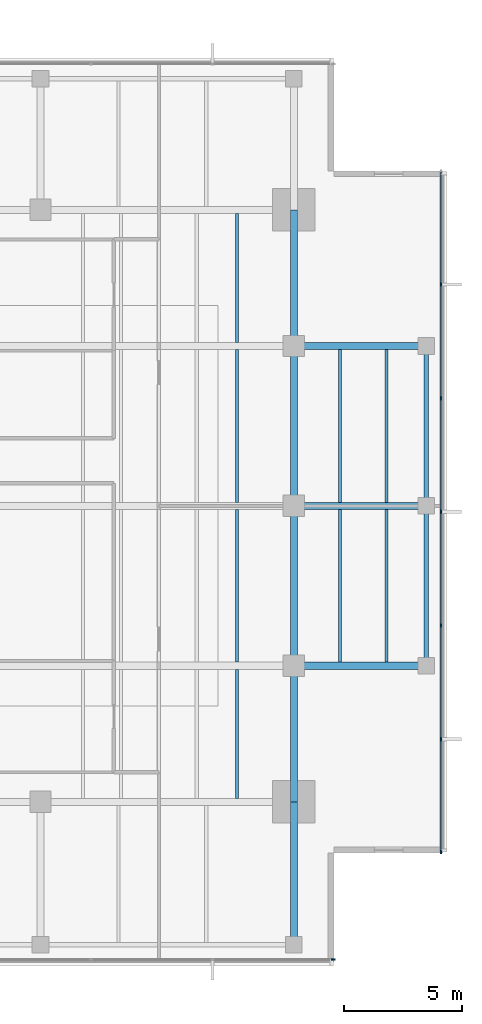
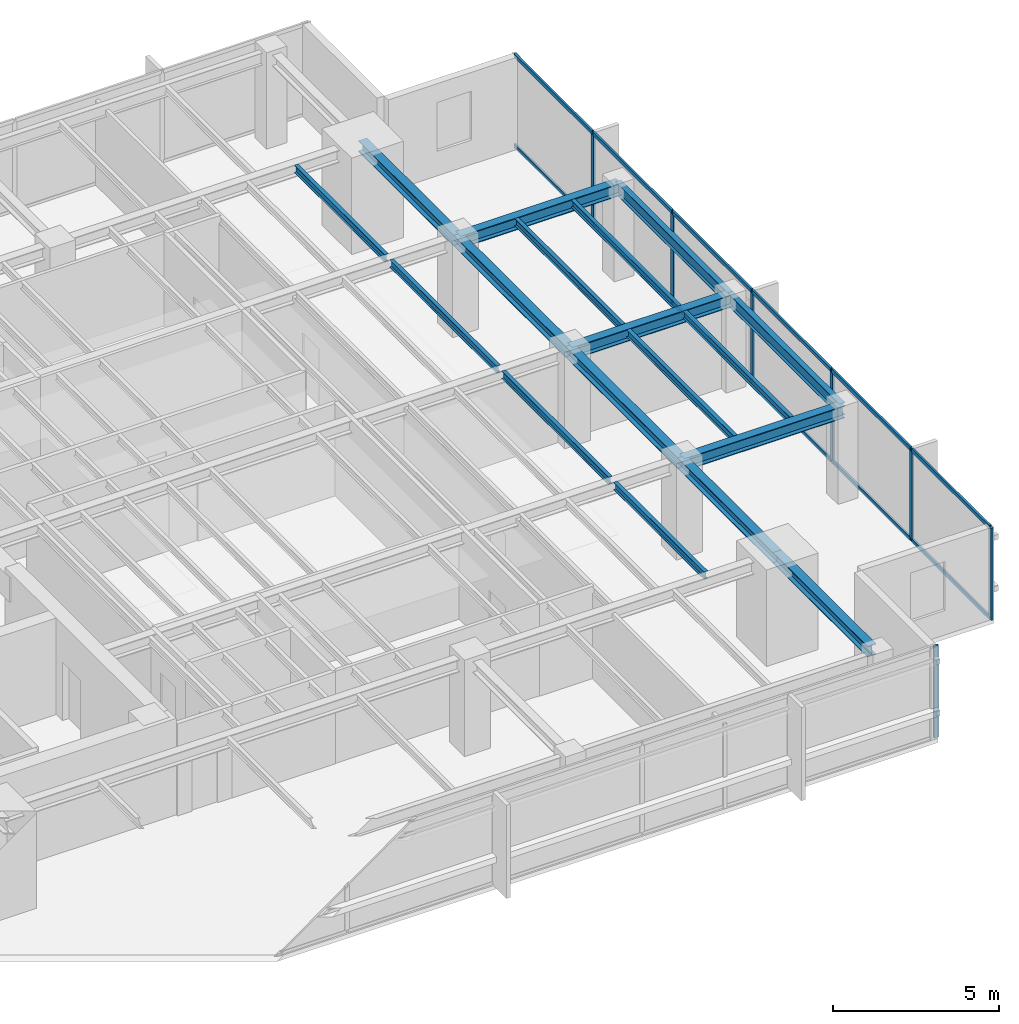
# One storey, part 4 of 14: 19 members, 18 beams, 2 elements without a shape of their own.
"""IFC4 building model written with IfcOpenShell, lengths in metres."""

from ifc_helpers import new_model, si_unit, direction, frame, origin, origin_2d, place, context, subcontext, project, spatial, rectangle, i_section, extrude, material, layer, layer_set, material_profile, profile_set, type_object, element, aggregate, save


model = new_model("IFC4")

# Units and contexts
model_context = context("Model", 3, precision=1e-05, world=origin(), true_north=direction((0.0, 1.0)))
body_context = subcontext(model_context, "Body", "Model", "MODEL_VIEW")
ifc_project = project(units=[si_unit("LENGTHUNIT", "METRE"), si_unit("AREAUNIT", "SQUARE_METRE"), si_unit("VOLUMEUNIT", "CUBIC_METRE"), si_unit("PLANEANGLEUNIT", "RADIAN"), si_unit("MASSUNIT", "GRAM", prefix="KILO")], contexts=[model_context])

# Site, building, storey
site_placement = place(None, origin())
site = spatial("IfcSite", under=ifc_project, at=site_placement, CompositionType="ELEMENT")
building_placement = place(site_placement, origin())
building = spatial("IfcBuilding", under=site, at=building_placement, Name="Kinhvarn Gate Tower", CompositionType="ELEMENT")
storey_placement = place(building_placement, frame((0.0, 0.0, 263.449951171875)))
storey = spatial("IfcBuildingStorey", under=building, at=storey_placement, Name="L70", CompositionType="ELEMENT", Elevation=263.449951171875)

# Curtain wall, member
ifc_material_1 = material(Name="Anodised aluminium AW-6063", Category="aluminium")
ifc_layer = layer(ifc_material_1, 0.179931640625)
ifc_layer_set = layer_set([ifc_layer], Name="Anodised aluminium AW-6063")
curtain_wall_type = type_object("IfcCurtainWallType", Name="CW-SYS-3", PredefinedType="NOTDEFINED", material=ifc_layer_set)
curtain_wall_1_placement = place(storey_placement, origin())
curtain_wall_1 = element("IfcCurtainWall", 1, at=curtain_wall_1_placement, inside=storey, type_object=curtain_wall_type, Name="Curtain Wall CW3 (L70)", PredefinedType="NOTDEFINED")
ifc_material_profile_1 = material_profile(ifc_material_1, rectangle(XDim=0.06494140625, YDim=0.159912109375, at=origin_2d()), Name="ALU 65x160")
ifc_profile_set_1 = profile_set([ifc_material_profile_1], Name="Anodised aluminium AW-6063")
member_type_1 = type_object("IfcMemberType", Name="CW-MUL-160", PredefinedType="MULLION", material=ifc_profile_set_1)
member_1_placement = place(storey_placement, frame((39.867431640625, 6.090087890625, 0.0), z_axis=(0.0, 0.0, 1.0), x_axis=(0.0, 1.0, 0.0)))
member_1 = element("IfcMember", 2, at=member_1_placement, type_object=member_type_1, Name="CW3 mullion 7", PredefinedType="MULLION", context=body_context, shape_type="SweptSolid", body=[
    extrude(rectangle(XDim=0.06494140625, YDim=0.159912109375, at=origin_2d()), origin(), (0.0, 0.0, 1.0), 3.39013671875),
])
aggregate(curtain_wall_1, [member_1])

# Curtain wall, members
curtain_wall_2_placement = place(storey_placement, origin())
curtain_wall_2 = element("IfcCurtainWall", 3, at=curtain_wall_2_placement, inside=storey, type_object=curtain_wall_type, Name="Curtain Wall CW3 (L70)", PredefinedType="NOTDEFINED")
member_2_placement = place(storey_placement, frame((44.409912109375, 10.632568359375, 0.0), z_axis=(0.0, 0.0, 1.0), x_axis=(-1.0, 0.0, 0.0)))
member_2 = element("IfcMember", 4, at=member_2_placement, type_object=member_type_1, Name="CW3 mullion 1", PredefinedType="MULLION", context=body_context, shape_type="SweptSolid", body=[
    extrude(rectangle(XDim=0.06494140625, YDim=0.159912109375, at=origin_2d()), origin(), (0.0, 0.0, 1.0), 3.39013671875),
])
member_3_placement = place(storey_placement, frame((44.409912109375, 15.39990234375, 0.0), z_axis=(0.0, 0.0, 1.0), x_axis=(-1.0, 0.0, 0.0)))
member_3 = element("IfcMember", 5, at=member_3_placement, type_object=member_type_1, Name="CW3 mullion 2", PredefinedType="MULLION", context=body_context, shape_type="SweptSolid", body=[
    extrude(rectangle(XDim=0.06494140625, YDim=0.159912109375, at=origin_2d()), origin(), (0.0, 0.0, 1.0), 3.39013671875),
])
member_4_placement = place(storey_placement, frame((44.409912109375, 20.199951171875, 0.0), z_axis=(0.0, 0.0, 1.0), x_axis=(-1.0, 0.0, 0.0)))
member_4 = element("IfcMember", 6, at=member_4_placement, type_object=member_type_1, Name="CW3 mullion 3", PredefinedType="MULLION", context=body_context, shape_type="SweptSolid", body=[
    extrude(rectangle(XDim=0.06494140625, YDim=0.159912109375, at=origin_2d()), origin(), (0.0, 0.0, 1.0), 3.39013671875),
])
member_5_placement = place(storey_placement, frame((44.409912109375, 25.0, 0.0), z_axis=(0.0, 0.0, 1.0), x_axis=(-1.0, 0.0, 0.0)))
member_5 = element("IfcMember", 7, at=member_5_placement, type_object=member_type_1, Name="CW3 mullion 4", PredefinedType="MULLION", context=body_context, shape_type="SweptSolid", body=[
    extrude(rectangle(XDim=0.06494140625, YDim=0.159912109375, at=origin_2d()), origin(), (0.0, 0.0, 1.0), 3.39013671875),
])
member_6_placement = place(storey_placement, frame((44.409912109375, 29.800048828125, 0.0), z_axis=(0.0, 0.0, 1.0), x_axis=(-1.0, 0.0, 0.0)))
member_6 = element("IfcMember", 8, at=member_6_placement, type_object=member_type_1, Name="CW3 mullion 5", PredefinedType="MULLION", context=body_context, shape_type="SweptSolid", body=[
    extrude(rectangle(XDim=0.06494140625, YDim=0.159912109375, at=origin_2d()), origin(), (0.0, 0.0, 1.0), 3.39013671875),
])
member_7_placement = place(storey_placement, frame((44.409912109375, 34.60009765625, 0.0), z_axis=(0.0, 0.0, 1.0), x_axis=(-1.0, 0.0, 0.0)))
member_7 = element("IfcMember", 9, at=member_7_placement, type_object=member_type_1, Name="CW3 mullion 6", PredefinedType="MULLION", context=body_context, shape_type="SweptSolid", body=[
    extrude(rectangle(XDim=0.06494140625, YDim=0.159912109375, at=origin_2d()), origin(), (0.0, 0.0, 1.0), 3.39013671875),
])
ifc_material_profile_2 = material_profile(ifc_material_1, rectangle(XDim=0.070068359375, YDim=0.139892578125, at=origin_2d()), Name="ALU 70x140")
ifc_profile_set_2 = profile_set([ifc_material_profile_2], Name="Anodised aluminium AW-6063")
member_type_2 = type_object("IfcMemberType", Name="CW-TRN-140", PredefinedType="USERDEFINED", material=ifc_profile_set_2)
member_8_placement = place(storey_placement, frame((44.409912109375, 10.6650390625, 0.03515625), z_axis=(0.0, 1.0, 0.0), x_axis=(-1.0, 0.0, 0.0)))
member_8 = element("IfcMember", 10, at=member_8_placement, type_object=member_type_2, Name="CW3 transom 1.1", ObjectType="TRANSOM", PredefinedType="USERDEFINED", context=body_context, shape_type="SweptSolid", body=[
    extrude(rectangle(XDim=0.070068359375, YDim=0.139892578125, at=origin_2d()), origin(), (0.0, 0.0, 1.0), 4.702392578125),
])
member_9_placement = place(storey_placement, frame((44.409912109375, 10.6650390625, 3.35498046875), z_axis=(0.0, 1.0, 0.0), x_axis=(-1.0, 0.0, 0.0)))
member_9 = element("IfcMember", 11, at=member_9_placement, type_object=member_type_2, Name="CW3 transom 1.2", ObjectType="TRANSOM", PredefinedType="USERDEFINED", context=body_context, shape_type="SweptSolid", body=[
    extrude(rectangle(XDim=0.070068359375, YDim=0.139892578125, at=origin_2d()), origin(), (0.0, 0.0, 1.0), 4.702392578125),
])
member_10_placement = place(storey_placement, frame((44.409912109375, 15.4326171875, 0.03515625), z_axis=(0.0, 1.0, 0.0), x_axis=(-1.0, 0.0, 0.0)))
member_10 = element("IfcMember", 12, at=member_10_placement, type_object=member_type_2, Name="CW3 transom 2.1", ObjectType="TRANSOM", PredefinedType="USERDEFINED", context=body_context, shape_type="SweptSolid", body=[
    extrude(rectangle(XDim=0.070068359375, YDim=0.139892578125, at=origin_2d()), origin(), (0.0, 0.0, 1.0), 4.73486328125),
])
member_11_placement = place(storey_placement, frame((44.409912109375, 15.4326171875, 3.35498046875), z_axis=(0.0, 1.0, 0.0), x_axis=(-1.0, 0.0, 0.0)))
member_11 = element("IfcMember", 13, at=member_11_placement, type_object=member_type_2, Name="CW3 transom 2.2", ObjectType="TRANSOM", PredefinedType="USERDEFINED", context=body_context, shape_type="SweptSolid", body=[
    extrude(rectangle(XDim=0.070068359375, YDim=0.139892578125, at=origin_2d()), origin(), (0.0, 0.0, 1.0), 4.73486328125),
])
member_12_placement = place(storey_placement, frame((44.409912109375, 20.232421875, 0.03515625), z_axis=(0.0, 1.0, 0.0), x_axis=(-1.0, 0.0, 0.0)))
member_12 = element("IfcMember", 14, at=member_12_placement, type_object=member_type_2, Name="CW3 transom 3.1", ObjectType="TRANSOM", PredefinedType="USERDEFINED", context=body_context, shape_type="SweptSolid", body=[
    extrude(rectangle(XDim=0.070068359375, YDim=0.139892578125, at=origin_2d()), origin(), (0.0, 0.0, 1.0), 4.735107421875),
])
member_13_placement = place(storey_placement, frame((44.409912109375, 20.232421875, 3.35498046875), z_axis=(0.0, 1.0, 0.0), x_axis=(-1.0, 0.0, 0.0)))
member_13 = element("IfcMember", 15, at=member_13_placement, type_object=member_type_2, Name="CW3 transom 3.2", ObjectType="TRANSOM", PredefinedType="USERDEFINED", context=body_context, shape_type="SweptSolid", body=[
    extrude(rectangle(XDim=0.070068359375, YDim=0.139892578125, at=origin_2d()), origin(), (0.0, 0.0, 1.0), 4.735107421875),
])
member_14_placement = place(storey_placement, frame((44.409912109375, 25.032470703125, 0.03515625), z_axis=(0.0, 1.0, 0.0), x_axis=(-1.0, 0.0, 0.0)))
member_14 = element("IfcMember", 16, at=member_14_placement, type_object=member_type_2, Name="CW3 transom 4.1", ObjectType="TRANSOM", PredefinedType="USERDEFINED", context=body_context, shape_type="SweptSolid", body=[
    extrude(rectangle(XDim=0.070068359375, YDim=0.139892578125, at=origin_2d()), origin(), (0.0, 0.0, 1.0), 4.735107421875),
])
member_15_placement = place(storey_placement, frame((44.409912109375, 25.032470703125, 3.35498046875), z_axis=(0.0, 1.0, 0.0), x_axis=(-1.0, 0.0, 0.0)))
member_15 = element("IfcMember", 17, at=member_15_placement, type_object=member_type_2, Name="CW3 transom 4.2", ObjectType="TRANSOM", PredefinedType="USERDEFINED", context=body_context, shape_type="SweptSolid", body=[
    extrude(rectangle(XDim=0.070068359375, YDim=0.139892578125, at=origin_2d()), origin(), (0.0, 0.0, 1.0), 4.735107421875),
])
member_16_placement = place(storey_placement, frame((44.409912109375, 29.83251953125, 0.03515625), z_axis=(0.0, 1.0, 0.0), x_axis=(-1.0, 0.0, 0.0)))
member_16 = element("IfcMember", 18, at=member_16_placement, type_object=member_type_2, Name="CW3 transom 5.1", ObjectType="TRANSOM", PredefinedType="USERDEFINED", context=body_context, shape_type="SweptSolid", body=[
    extrude(rectangle(XDim=0.070068359375, YDim=0.139892578125, at=origin_2d()), origin(), (0.0, 0.0, 1.0), 4.73486328125),
])
member_17_placement = place(storey_placement, frame((44.409912109375, 29.83251953125, 3.35498046875), z_axis=(0.0, 1.0, 0.0), x_axis=(-1.0, 0.0, 0.0)))
member_17 = element("IfcMember", 19, at=member_17_placement, type_object=member_type_2, Name="CW3 transom 5.2", ObjectType="TRANSOM", PredefinedType="USERDEFINED", context=body_context, shape_type="SweptSolid", body=[
    extrude(rectangle(XDim=0.070068359375, YDim=0.139892578125, at=origin_2d()), origin(), (0.0, 0.0, 1.0), 4.73486328125),
])
member_18_placement = place(storey_placement, frame((44.409912109375, 34.632568359375, 0.03515625), z_axis=(0.0, 1.0, 0.0), x_axis=(-1.0, 0.0, 0.0)))
member_18 = element("IfcMember", 20, at=member_18_placement, type_object=member_type_2, Name="CW3 transom 6.1", ObjectType="TRANSOM", PredefinedType="USERDEFINED", context=body_context, shape_type="SweptSolid", body=[
    extrude(rectangle(XDim=0.070068359375, YDim=0.139892578125, at=origin_2d()), origin(), (0.0, 0.0, 1.0), 4.702392578125),
])
member_19_placement = place(storey_placement, frame((44.409912109375, 34.632568359375, 3.35498046875), z_axis=(0.0, 1.0, 0.0), x_axis=(-1.0, 0.0, 0.0)))
member_19 = element("IfcMember", 21, at=member_19_placement, type_object=member_type_2, Name="CW3 transom 6.2", ObjectType="TRANSOM", PredefinedType="USERDEFINED", context=body_context, shape_type="SweptSolid", body=[
    extrude(rectangle(XDim=0.070068359375, YDim=0.139892578125, at=origin_2d()), origin(), (0.0, 0.0, 1.0), 4.702392578125),
])
aggregate(curtain_wall_2, [member_2, member_3, member_4, member_5, member_6, member_7, member_8, member_9, member_10, member_11, member_12, member_13, member_14, member_15, member_16, member_17, member_18, member_19])

# Beams
ifc_material_2 = material(Name="Steel S355", Category="steel")
ifc_material_profile_3 = material_profile(ifc_material_2, i_section(OverallWidth=0.300048828125, OverallDepth=0.39990234375, WebThickness=0.013427734375, FlangeThickness=0.02392578125, at=origin_2d()), Name="HEB 400")
ifc_profile_set_3 = profile_set([ifc_material_profile_3], Name="Steel S355")
beam_type_1 = type_object("IfcBeamType", Name="STL-HEB400", PredefinedType="BEAM", material=ifc_profile_set_3)
beam_1_placement = place(storey_placement, frame((38.199951171875, 7.054931640625, 3.18994140625), z_axis=(0.0, 1.0, 0.0), x_axis=(-1.0, 0.0, 0.0)))
element("IfcBeam", 22, at=beam_1_placement, inside=storey, type_object=beam_type_1, Name="Floor Beam PG-12 (L70 MCE-S)", PredefinedType="BEAM", context=body_context, shape_type="SweptSolid", body=[
    extrude(i_section(OverallWidth=0.300048828125, OverallDepth=0.39990234375, WebThickness=0.013427734375, FlangeThickness=0.02392578125, at=origin_2d()), origin(), (0.0, 0.0, 1.0), 5.695068359375),
])
beam_2_placement = place(storey_placement, frame((38.199951171875, 12.75, 3.18994140625), z_axis=(0.0, 1.0, 0.0), x_axis=(-1.0, 0.0, 0.0)))
element("IfcBeam", 23, at=beam_2_placement, inside=storey, type_object=beam_type_1, Name="Floor Beam PG-12 (L70 MG-E-12)", PredefinedType="BEAM", context=body_context, shape_type="SweptSolid", body=[
    extrude(i_section(OverallWidth=0.300048828125, OverallDepth=0.39990234375, WebThickness=0.013427734375, FlangeThickness=0.02392578125, at=origin_2d()), origin(), (0.0, 0.0, 1.0), 5.75),
])
for number, where, z_axis, x_axis, name in (
    (24, (38.199951171875, 18.5, 3.18994140625), (0.0, 1.0, 0.0), (-1.0, 0.0, 0.0), "Floor Beam PG-12 (L70 MG-E-18)"),
    (25, (38.199951171875, 25.25, 3.18994140625), (0.0, 1.0, 0.0), (-1.0, 0.0, 0.0), "Floor Beam PG-12 (L70 MG-E-25)"),
):
    element("IfcBeam", number, at=place(storey_placement, frame(where, z_axis=z_axis, x_axis=x_axis)), inside=storey, type_object=beam_type_1, Name=name, PredefinedType="BEAM", context=body_context, shape_type="SweptSolid", body=[
        extrude(i_section(OverallWidth=0.300048828125, OverallDepth=0.39990234375, WebThickness=0.013427734375, FlangeThickness=0.02392578125, at=origin_2d()), origin(), (0.0, 0.0, 1.0), 6.75),
    ])
beam_3_placement = place(storey_placement, frame((38.199951171875, 32.0, 3.18994140625), z_axis=(0.0, 1.0, 0.0), x_axis=(-1.0, 0.0, 0.0)))
element("IfcBeam", 26, at=beam_3_placement, inside=storey, type_object=beam_type_1, Name="Floor Beam PG-12 (L70 MG-E-32)", PredefinedType="BEAM", context=body_context, shape_type="SweptSolid", body=[
    extrude(i_section(OverallWidth=0.300048828125, OverallDepth=0.39990234375, WebThickness=0.013427734375, FlangeThickness=0.02392578125, at=origin_2d()), origin(), (0.0, 0.0, 1.0), 5.75),
])
ifc_material_profile_4 = material_profile(ifc_material_2, i_section(OverallWidth=0.300048828125, OverallDepth=0.449951171875, WebThickness=0.013916015625, FlangeThickness=0.02587890625, at=origin_2d()), Name="HEB 450")
ifc_profile_set_4 = profile_set([ifc_material_profile_4], Name="Steel S355")
beam_type_2 = type_object("IfcBeamType", Name="STL-HEB450", PredefinedType="BEAM", material=ifc_profile_set_4)
for number, where, z_axis, x_axis, name in (
    (27, (38.199951171875, 18.5, 3.1650390625), (1.0, 0.0, 0.0), (0.0, 1.0, 0.0), "Floor Beam PG-13 (L70 EW2-Y18)"),
    (28, (38.199951171875, 25.25, 3.1650390625), (1.0, 0.0, 0.0), (0.0, 1.0, 0.0), "Floor Beam PG-13 (L70 EW2-Y25)"),
    (29, (38.199951171875, 32.0, 3.1650390625), (1.0, 0.0, 0.0), (0.0, 1.0, 0.0), "Floor Beam PG-13 (L70 EW2-Y32)"),
):
    element("IfcBeam", number, at=place(storey_placement, frame(where, z_axis=z_axis, x_axis=x_axis)), inside=storey, type_object=beam_type_2, Name=name, PredefinedType="BEAM", context=body_context, shape_type="SweptSolid", body=[
        extrude(i_section(OverallWidth=0.300048828125, OverallDepth=0.449951171875, WebThickness=0.013916015625, FlangeThickness=0.02587890625, at=origin_2d()), origin(), (0.0, 0.0, 1.0), 5.580078125),
    ])
ifc_material_profile_5 = material_profile(ifc_material_2, i_section(OverallWidth=0.135009765625, OverallDepth=0.27001953125, WebThickness=0.006591796875, FlangeThickness=0.01025390625, at=origin_2d()), Name="IPE 270")
ifc_profile_set_5 = profile_set([ifc_material_profile_5], Name="Steel S355")
beam_type_3 = type_object("IfcBeamType", Name="STL-IPE270", PredefinedType="JOIST", material=ifc_profile_set_5)
beam_4_placement = place(storey_placement, frame((35.800048828125, 12.89990234375, 3.255126953125), z_axis=(0.0, 1.0, 0.0), x_axis=(-1.0, 0.0, 0.0)))
element("IfcBeam", 30, at=beam_4_placement, inside=storey, type_object=beam_type_3, Name="Floor Joist SB-01 (L70 JC-X358-0)", PredefinedType="JOIST", context=body_context, shape_type="SweptSolid", body=[
    extrude(i_section(OverallWidth=0.135009765625, OverallDepth=0.27001953125, WebThickness=0.006591796875, FlangeThickness=0.01025390625, at=origin_2d()), origin(), (0.0, 0.0, 1.0), 5.4501953125),
])
for number, where, z_axis, x_axis, name in (
    (31, (35.800048828125, 18.64990234375, 3.255126953125), (0.0, 1.0, 0.0), (-1.0, 0.0, 0.0), "Floor Joist SB-01 (L70 JC-X358-1)"),
    (32, (35.800048828125, 25.39990234375, 3.255126953125), (0.0, 1.0, 0.0), (-1.0, 0.0, 0.0), "Floor Joist SB-01 (L70 JC-X358-2)"),
):
    element("IfcBeam", number, at=place(storey_placement, frame(where, z_axis=z_axis, x_axis=x_axis)), inside=storey, type_object=beam_type_3, Name=name, PredefinedType="JOIST", context=body_context, shape_type="SweptSolid", body=[
        extrude(i_section(OverallWidth=0.135009765625, OverallDepth=0.27001953125, WebThickness=0.006591796875, FlangeThickness=0.01025390625, at=origin_2d()), origin(), (0.0, 0.0, 1.0), 6.4501953125),
    ])
beam_5_placement = place(storey_placement, frame((35.800048828125, 32.14990234375, 3.255126953125), z_axis=(0.0, 1.0, 0.0), x_axis=(-1.0, 0.0, 0.0)))
element("IfcBeam", 33, at=beam_5_placement, inside=storey, type_object=beam_type_3, Name="Floor Joist SB-01 (L70 JC-X358-3)", PredefinedType="JOIST", context=body_context, shape_type="SweptSolid", body=[
    extrude(i_section(OverallWidth=0.135009765625, OverallDepth=0.27001953125, WebThickness=0.006591796875, FlangeThickness=0.01025390625, at=origin_2d()), origin(), (0.0, 0.0, 1.0), 5.4501953125),
])
for number, where, z_axis, x_axis, name in (
    (34, (40.14990234375, 18.64990234375, 3.255126953125), (0.0, 1.0, 0.0), (-1.0, 0.0, 0.0), "Floor Joist SB-01 (L70 JC-X401-1)"),
    (35, (40.14990234375, 25.39990234375, 3.255126953125), (0.0, 1.0, 0.0), (-1.0, 0.0, 0.0), "Floor Joist SB-01 (L70 JC-X401-2)"),
    (36, (42.110107421875, 18.64990234375, 3.255126953125), (0.0, 1.0, 0.0), (-1.0, 0.0, 0.0), "Floor Joist SB-01 (L70 JC-X421-1)"),
    (37, (42.110107421875, 25.39990234375, 3.255126953125), (0.0, 1.0, 0.0), (-1.0, 0.0, 0.0), "Floor Joist SB-01 (L70 JC-X421-2)"),
):
    element("IfcBeam", number, at=place(storey_placement, frame(where, z_axis=z_axis, x_axis=x_axis)), inside=storey, type_object=beam_type_3, Name=name, PredefinedType="JOIST", context=body_context, shape_type="SweptSolid", body=[
        extrude(i_section(OverallWidth=0.135009765625, OverallDepth=0.27001953125, WebThickness=0.006591796875, FlangeThickness=0.01025390625, at=origin_2d()), origin(), (0.0, 0.0, 1.0), 6.4501953125),
    ])
ifc_material_profile_6 = material_profile(ifc_material_2, i_section(OverallWidth=0.18994140625, OverallDepth=0.449951171875, WebThickness=0.009521484375, FlangeThickness=0.0146484375, at=origin_2d()), Name="IPE 450")
ifc_profile_set_6 = profile_set([ifc_material_profile_6], Name="Steel S355")
beam_type_4 = type_object("IfcBeamType", Name="STL-IPE450", PredefinedType="JOIST", material=ifc_profile_set_6)
for number, where, z_axis, x_axis, name in (
    (38, (43.780029296875, 18.5, 3.1650390625), (0.0, 1.0, 0.0), (-1.0, 0.0, 0.0), "Floor Joist SB-06 (L70 SP-E2)"),
    (39, (43.780029296875, 25.25, 3.1650390625), (0.0, 1.0, 0.0), (-1.0, 0.0, 0.0), "Floor Joist SB-06 (L70 SP-E3)"),
):
    element("IfcBeam", number, at=place(storey_placement, frame(where, z_axis=z_axis, x_axis=x_axis)), inside=storey, type_object=beam_type_4, Name=name, PredefinedType="JOIST", context=body_context, shape_type="SweptSolid", body=[
        extrude(i_section(OverallWidth=0.18994140625, OverallDepth=0.449951171875, WebThickness=0.009521484375, FlangeThickness=0.0146484375, at=origin_2d()), origin(), (0.0, 0.0, 1.0), 6.75),
    ])

save(model, "model.ifc")
